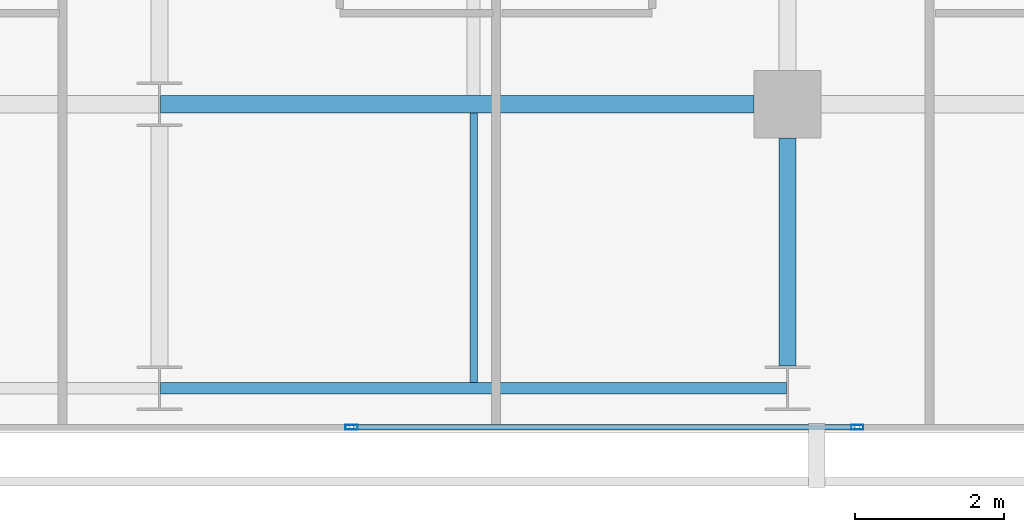
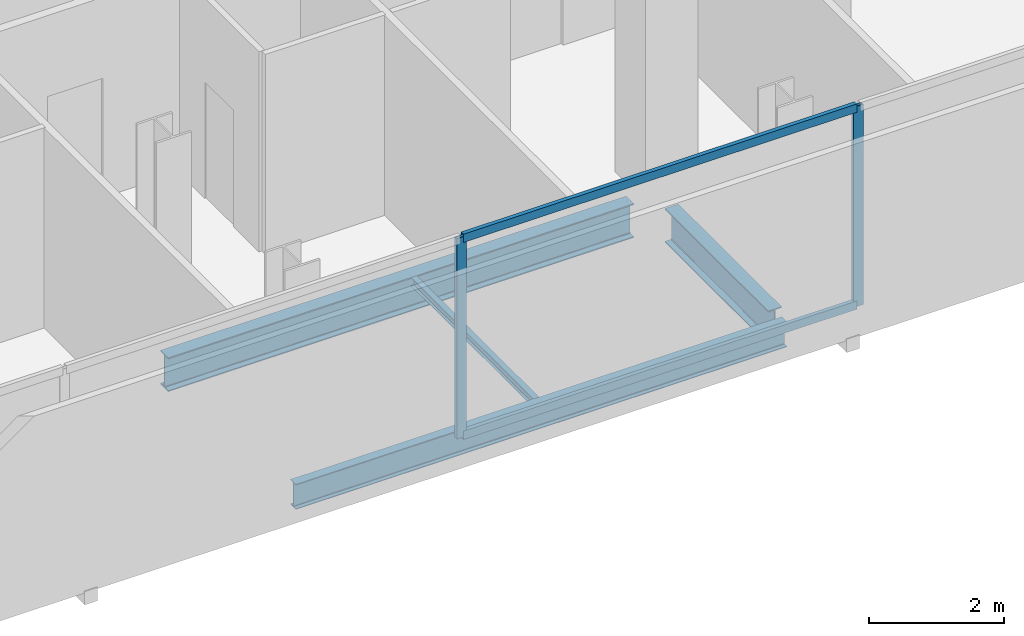
# One storey, part 12 of 34: 4 beams, 4 members, 1 element without a shape of its own.
"""IFC4 building model written with IfcOpenShell, lengths in metres."""

from ifc_helpers import new_model, si_unit, direction, frame, origin, origin_2d, place, context, subcontext, project, spatial, hollow_rectangle, i_section, extrude, material, layer, layer_set, material_profile, profile_set, type_object, element, aggregate, save


model = new_model("IFC4")

# Units and contexts
model_context = context("Model", 3, precision=1e-05, world=origin(), true_north=direction((0.0, 1.0)))
body_context = subcontext(model_context, "Body", "Model", "MODEL_VIEW")
ifc_project = project(units=[si_unit("LENGTHUNIT", "METRE"), si_unit("AREAUNIT", "SQUARE_METRE"), si_unit("VOLUMEUNIT", "CUBIC_METRE"), si_unit("PLANEANGLEUNIT", "RADIAN"), si_unit("MASSUNIT", "GRAM", prefix="KILO")], contexts=[model_context])

# Site, building, storey
site_placement = place(None, origin())
site = spatial("IfcSite", under=ifc_project, at=site_placement, CompositionType="ELEMENT")
building_placement = place(site_placement, origin())
building = spatial("IfcBuilding", under=site, at=building_placement, Name="Maruvema Waterfront Hotel and Observation Tower", CompositionType="ELEMENT")
storey_placement = place(building_placement, frame((0.0, 0.0, 127.39990234375)))
storey = spatial("IfcBuildingStorey", under=building, at=storey_placement, Name="L30", CompositionType="ELEMENT", Elevation=127.39990234375)

# Curtain wall, members
ifc_material_1 = material(Name="Anodised bronze aluminium and solar-control low-E IGU", Category="aluminium")
ifc_layer = layer(ifc_material_1, 0.159912109375, Name="Zone 2 Amber Inner Thermal Curtain Wall System CW-03")
ifc_layer_set = layer_set([ifc_layer], Name="Anodised bronze aluminium and solar-control low-E IGU")
curtain_wall_type = type_object("IfcCurtainWallType", Name="Zone 2 Amber Inner Thermal Curtain Wall System CW-03", PredefinedType="USERDEFINED", material=ifc_layer_set)
curtain_wall_placement = place(storey_placement, origin())
curtain_wall = element("IfcCurtainWall", 1, at=curtain_wall_placement, inside=storey, type_object=curtain_wall_type, Name="L30 Curtain Wall CW-L30-S", ObjectType="UNITISED CURTAIN WALL", PredefinedType="USERDEFINED")
ifc_material_2 = material(Name="Anodised architectural bronze aluminium", Category="aluminium")
ifc_material_profile_1 = material_profile(ifc_material_2, hollow_rectangle(XDim=0.070068359375, YDim=0.14990234375, WallThickness=0.00390625, at=origin_2d()), Name="ALU-T70x150")
ifc_profile_set_1 = profile_set([ifc_material_profile_1], Name="Anodised architectural bronze aluminium")
member_type_1 = type_object("IfcMemberType", Name="Curtain Wall Horizontal Transom ALU-T70x150", PredefinedType="USERDEFINED", material=ifc_profile_set_1)
member_1_placement = place(storey_placement, frame((44.5966796875, 4.679931640625, 0.030029296875), z_axis=(1.0, 0.0, 0.0), x_axis=(0.0, 1.0, 0.0)))
member_1 = element("IfcMember", 2, at=member_1_placement, type_object=member_type_1, Name="CW-03 transom 5.1", ObjectType="TRANSOM", PredefinedType="USERDEFINED", context=body_context, shape_type="SweptSolid", body=[
    extrude(hollow_rectangle(XDim=0.070068359375, YDim=0.14990234375, WallThickness=0.00390625, at=origin_2d()), origin(), (0.0, 0.0, 1.0), 6.70654296875),
])
member_2_placement = place(storey_placement, frame((44.5966796875, 4.679931640625, 3.580078125), z_axis=(1.0, 0.0, 0.0), x_axis=(0.0, 1.0, 0.0)))
member_2 = element("IfcMember", 3, at=member_2_placement, type_object=member_type_1, Name="CW-03 transom 5.2", ObjectType="TRANSOM", PredefinedType="USERDEFINED", context=body_context, shape_type="SweptSolid", body=[
    extrude(hollow_rectangle(XDim=0.070068359375, YDim=0.14990234375, WallThickness=0.00390625, at=origin_2d()), origin(), (0.0, 0.0, 1.0), 6.70654296875),
])
ifc_material_3 = material(Name="Anodised architectural bronze aluminium", Category="aluminium")
ifc_material_profile_2 = material_profile(ifc_material_3, hollow_rectangle(XDim=0.06494140625, YDim=0.1650390625, WallThickness=0.00390625, at=origin_2d()), Name="ALU-M65x165")
ifc_profile_set_2 = profile_set([ifc_material_profile_2], Name="Anodised architectural bronze aluminium")
member_type_2 = type_object("IfcMemberType", Name="Curtain Wall Primary Mullion ALU-M65x165", PredefinedType="MULLION", material=ifc_profile_set_2)
member_3_placement = place(storey_placement, frame((44.566650390625, 4.679931640625, 0.0), z_axis=(0.0, 0.0, 1.0), x_axis=(0.0, 1.0, 0.0)))
member_3 = element("IfcMember", 4, at=member_3_placement, type_object=member_type_2, Name="CW-03 mullion 5", PredefinedType="MULLION", context=body_context, shape_type="SweptSolid", body=[
    extrude(hollow_rectangle(XDim=0.06494140625, YDim=0.1650390625, WallThickness=0.00390625, at=origin_2d()), origin(), (0.0, 0.0, 1.0), 3.610107421875),
])
member_4_placement = place(storey_placement, frame((51.333251953125, 4.679931640625, 0.0), z_axis=(0.0, 0.0, 1.0), x_axis=(0.0, 1.0, 0.0)))
member_4 = element("IfcMember", 5, at=member_4_placement, type_object=member_type_2, Name="CW-03 mullion 6", PredefinedType="MULLION", context=body_context, shape_type="SweptSolid", body=[
    extrude(hollow_rectangle(XDim=0.06494140625, YDim=0.1650390625, WallThickness=0.00390625, at=origin_2d()), origin(), (0.0, 0.0, 1.0), 3.610107421875),
])
aggregate(curtain_wall, [member_3, member_4, member_1, member_2])

# Beams
ifc_material_4 = material(Name="Steel ASTM A572 Grade 50", Category="steel")
ifc_material_profile_3 = material_profile(ifc_material_4, i_section(OverallWidth=0.153076171875, OverallDepth=0.455078125, WebThickness=0.008056640625, FlangeThickness=0.01318359375, FilletRadius=0.014892578125, at=origin_2d()), Name="W460x60.0")
ifc_profile_set_3 = profile_set([ifc_material_profile_3], Name="Steel ASTM A572 Grade 50")
beam_type_1 = type_object("IfcBeamType", Name="Perimeter Spandrel Beam W460x60.0", PredefinedType="SPANDREL", material=ifc_profile_set_3)
beam_1_placement = place(storey_placement, frame((42.012451171875, 5.199951171875, -0.46728515625), z_axis=(1.0, 0.0, 0.0), x_axis=(0.0, 1.0, 0.0)))
element("IfcBeam", 6, at=beam_1_placement, inside=storey, type_object=beam_type_1, Name="L30 Floor Girder EW-03", PredefinedType="SPANDREL", context=body_context, shape_type="SweptSolid", body=[
    extrude(i_section(OverallWidth=0.153076171875, OverallDepth=0.455078125, WebThickness=0.008056640625, FlangeThickness=0.01318359375, FilletRadius=0.014892578125, at=origin_2d()), origin(), (0.0, 0.0, 1.0), 8.375),
])
ifc_material_5 = material(Name="Steel ASTM A572 Grade 50", Category="steel")
ifc_material_profile_4 = material_profile(ifc_material_5, i_section(OverallWidth=0.22900390625, OverallDepth=0.612060546875, WebThickness=0.011962890625, FlangeThickness=0.01953125, FilletRadius=0.01806640625, at=origin_2d()), Name="W610x125.0")
ifc_profile_set_4 = profile_set([ifc_material_profile_4], Name="Steel ASTM A572 Grade 50")
beam_type_2 = type_object("IfcBeamType", Name="Primary Floor Girder W610x125.0", PredefinedType="BEAM", material=ifc_profile_set_4)
beam_2_placement = place(storey_placement, frame((42.012451171875, 9.0, -0.5458984375), z_axis=(1.0, 0.0, 0.0), x_axis=(0.0, 1.0, 0.0)))
element("IfcBeam", 7, at=beam_2_placement, inside=storey, type_object=beam_type_2, Name="L30 Floor Girder EW-08", PredefinedType="BEAM", context=body_context, shape_type="SweptSolid", body=[
    extrude(i_section(OverallWidth=0.22900390625, OverallDepth=0.612060546875, WebThickness=0.011962890625, FlangeThickness=0.01953125, FilletRadius=0.01806640625, at=origin_2d()), origin(), (0.0, 0.0, 1.0), 7.9375),
])
beam_3_placement = place(storey_placement, frame((50.39990234375, 5.5, -0.5458984375), z_axis=(0.0, 1.0, 0.0), x_axis=(-1.0, 0.0, 0.0)))
element("IfcBeam", 8, at=beam_3_placement, inside=storey, type_object=beam_type_2, Name="L30 Floor Girder NS-20", PredefinedType="BEAM", context=body_context, shape_type="SweptSolid", body=[
    extrude(i_section(OverallWidth=0.22900390625, OverallDepth=0.612060546875, WebThickness=0.011962890625, FlangeThickness=0.01953125, FilletRadius=0.01806640625, at=origin_2d()), origin(), (0.0, 0.0, 1.0), 3.050048828125),
])
ifc_material_6 = material(Name="Steel ASTM A572 Grade 50", Category="steel")
ifc_material_profile_5 = material_profile(ifc_material_6, i_section(OverallWidth=0.10009765625, OverallDepth=0.153076171875, WebThickness=0.005859375, FlangeThickness=0.007080078125, FilletRadius=0.008056640625, at=origin_2d()), Name="W150x18.0")
ifc_profile_set_5 = profile_set([ifc_material_profile_5], Name="Steel ASTM A572 Grade 50")
beam_type_3 = type_object("IfcBeamType", Name="Secondary Floor Joist W150x18.0", PredefinedType="JOIST", material=ifc_profile_set_5)
beam_4_placement = place(storey_placement, frame((46.199951171875, 5.276611328125, -0.31640625), z_axis=(0.0, 1.0, 0.0), x_axis=(-1.0, 0.0, 0.0)))
element("IfcBeam", 9, at=beam_4_placement, inside=storey, type_object=beam_type_3, Name="L30 Secondary Floor Joist JS-09", PredefinedType="JOIST", context=body_context, shape_type="SweptSolid", body=[
    extrude(i_section(OverallWidth=0.10009765625, OverallDepth=0.153076171875, WebThickness=0.005859375, FlangeThickness=0.007080078125, FilletRadius=0.008056640625, at=origin_2d()), origin(), (0.0, 0.0, 1.0), 3.60888671875),
])

save(model, "model.ifc")
